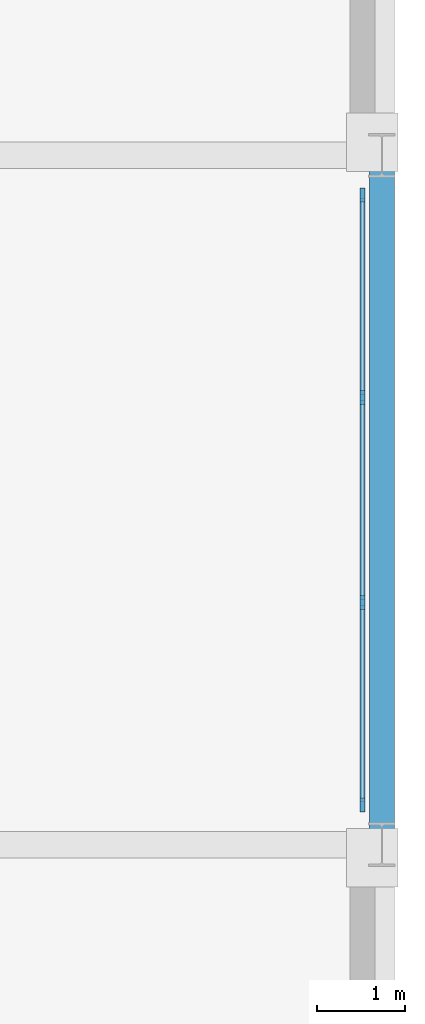
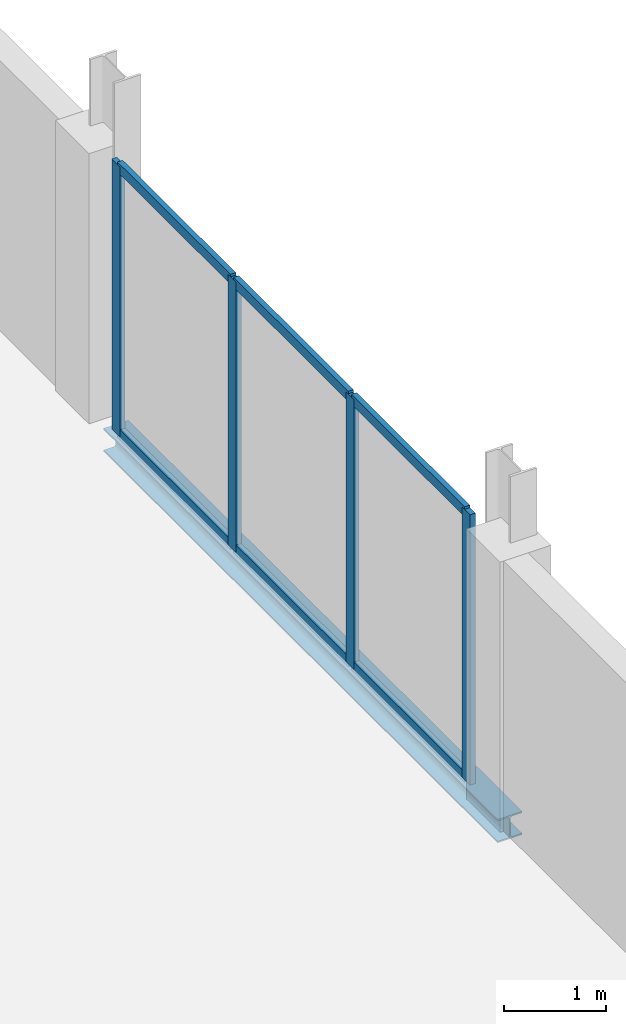
# One storey, part 14 of 41: 10 members, 1 beam, 1 element without a shape of its own.
"""IFC4 building model written with IfcOpenShell, lengths in metres."""

from ifc_helpers import new_model, si_unit, direction, frame, origin, origin_2d, place, context, subcontext, project, spatial, rectangle, i_section, extrude, material, material_profile, profile_set, type_object, element, aggregate, save


model = new_model("IFC4")

# Units and contexts
model_context = context("Model", 3, precision=1e-05, world=origin(), true_north=direction((0.0, 1.0)))
body_context = subcontext(model_context, "Body", "Model", "MODEL_VIEW")
ifc_project = project(units=[si_unit("LENGTHUNIT", "METRE"), si_unit("AREAUNIT", "SQUARE_METRE"), si_unit("VOLUMEUNIT", "CUBIC_METRE"), si_unit("PLANEANGLEUNIT", "RADIAN"), si_unit("MASSUNIT", "GRAM", prefix="KILO")], contexts=[model_context])

# Site, building, storey
site_placement = place(None, origin())
site = spatial("IfcSite", under=ifc_project, at=site_placement, CompositionType="ELEMENT")
building_placement = place(site_placement, origin())
building = spatial("IfcBuilding", under=site, at=building_placement, Name="Nabrawat Pavilion Hospital", CompositionType="ELEMENT")
storey_placement = place(building_placement, frame((0.0, 0.0, 18.89990234375)))
storey = spatial("IfcBuildingStorey", under=building, at=storey_placement, Name="L04", CompositionType="ELEMENT", Elevation=18.89990234375)

# Curtain wall, members
ifc_material_1 = material(Name="Anodised Aluminium", Category="aluminium")
curtain_wall_type = type_object("IfcCurtainWallType", Name="Inpatient Dayroom Bay Curtain Wall", PredefinedType="USERDEFINED", material=ifc_material_1)
curtain_wall_placement = place(storey_placement, origin())
curtain_wall = element("IfcCurtainWall", 1, at=curtain_wall_placement, inside=storey, type_object=curtain_wall_type, Name="L04 Inpatient Dayroom Bay Curtain Wall 150", ObjectType="CURTAIN WALL", PredefinedType="USERDEFINED")
ifc_material_profile_1 = material_profile(ifc_material_1, rectangle(XDim=0.06005859375, YDim=0.159912109375, at=origin_2d()), Name="CWM 60x160")
ifc_profile_set_1 = profile_set([ifc_material_profile_1], Name="Anodised Aluminium")
member_type_1 = type_object("IfcMemberType", Name="Inpatient Dayroom Bay Curtain Wall Mullion CWM 60x160", PredefinedType="MULLION", material=ifc_profile_set_1)
member_1_placement = place(storey_placement, frame((192.97998046875, 55.050048828125, 0.0), z_axis=(0.0, 0.0, 1.0), x_axis=(-1.0, 0.0, 0.0)))
member_1 = element("IfcMember", 2, at=member_1_placement, type_object=member_type_1, Name="CW-WRD-01 mullion 1", PredefinedType="MULLION", context=body_context, shape_type="SweptSolid", body=[
    extrude(rectangle(XDim=0.06005859375, YDim=0.159912109375, at=origin_2d()), origin(), (0.0, 0.0, 1.0), 3.25),
])
member_2_placement = place(storey_placement, frame((192.97998046875, 57.340087890625, 0.0), z_axis=(0.0, 0.0, 1.0), x_axis=(-1.0, 0.0, 0.0)))
member_2 = element("IfcMember", 3, at=member_2_placement, type_object=member_type_1, Name="CW-WRD-01 mullion 2", PredefinedType="MULLION", context=body_context, shape_type="SweptSolid", body=[
    extrude(rectangle(XDim=0.06005859375, YDim=0.159912109375, at=origin_2d()), origin(), (0.0, 0.0, 1.0), 3.25),
])
member_3_placement = place(storey_placement, frame((192.97998046875, 59.659912109375, 0.0), z_axis=(0.0, 0.0, 1.0), x_axis=(-1.0, 0.0, 0.0)))
member_3 = element("IfcMember", 4, at=member_3_placement, type_object=member_type_1, Name="CW-WRD-01 mullion 3", PredefinedType="MULLION", context=body_context, shape_type="SweptSolid", body=[
    extrude(rectangle(XDim=0.06005859375, YDim=0.159912109375, at=origin_2d()), origin(), (0.0, 0.0, 1.0), 3.25),
])
member_4_placement = place(storey_placement, frame((192.97998046875, 61.949951171875, 0.0), z_axis=(0.0, 0.0, 1.0), x_axis=(-1.0, 0.0, 0.0)))
member_4 = element("IfcMember", 5, at=member_4_placement, type_object=member_type_1, Name="CW-WRD-01 mullion 4", PredefinedType="MULLION", context=body_context, shape_type="SweptSolid", body=[
    extrude(rectangle(XDim=0.06005859375, YDim=0.159912109375, at=origin_2d()), origin(), (0.0, 0.0, 1.0), 3.25),
])
ifc_material_profile_2 = material_profile(ifc_material_1, rectangle(XDim=0.06005859375, YDim=0.1201171875, at=origin_2d()), Name="CWT 60x120")
ifc_profile_set_2 = profile_set([ifc_material_profile_2], Name="Anodised Aluminium")
member_type_2 = type_object("IfcMemberType", Name="Inpatient Dayroom Bay Curtain Wall Transom CWT 60x120", PredefinedType="USERDEFINED", material=ifc_profile_set_2)
member_5_placement = place(storey_placement, frame((192.97998046875, 55.080078125, 0.030029296875), z_axis=(0.0, 1.0, 0.0), x_axis=(-1.0, 0.0, 0.0)))
member_5 = element("IfcMember", 6, at=member_5_placement, type_object=member_type_2, Name="CW-WRD-01 transom 1.1", ObjectType="TRANSOM", PredefinedType="USERDEFINED", context=body_context, shape_type="SweptSolid", body=[
    extrude(rectangle(XDim=0.06005859375, YDim=0.1201171875, at=origin_2d()), origin(), (0.0, 0.0, 1.0), 2.22998046875),
])
member_6_placement = place(storey_placement, frame((192.97998046875, 55.080078125, 3.22021484375), z_axis=(0.0, 1.0, 0.0), x_axis=(-1.0, 0.0, 0.0)))
member_6 = element("IfcMember", 7, at=member_6_placement, type_object=member_type_2, Name="CW-WRD-01 transom 1.2", ObjectType="TRANSOM", PredefinedType="USERDEFINED", context=body_context, shape_type="SweptSolid", body=[
    extrude(rectangle(XDim=0.06005859375, YDim=0.1201171875, at=origin_2d()), origin(), (0.0, 0.0, 1.0), 2.22998046875),
])
member_7_placement = place(storey_placement, frame((192.97998046875, 57.3701171875, 0.030029296875), z_axis=(0.0, 1.0, 0.0), x_axis=(-1.0, 0.0, 0.0)))
member_7 = element("IfcMember", 8, at=member_7_placement, type_object=member_type_2, Name="CW-WRD-01 transom 2.1", ObjectType="TRANSOM", PredefinedType="USERDEFINED", context=body_context, shape_type="SweptSolid", body=[
    extrude(rectangle(XDim=0.06005859375, YDim=0.1201171875, at=origin_2d()), origin(), (0.0, 0.0, 1.0), 2.259765625),
])
member_8_placement = place(storey_placement, frame((192.97998046875, 57.3701171875, 3.22021484375), z_axis=(0.0, 1.0, 0.0), x_axis=(-1.0, 0.0, 0.0)))
member_8 = element("IfcMember", 9, at=member_8_placement, type_object=member_type_2, Name="CW-WRD-01 transom 2.2", ObjectType="TRANSOM", PredefinedType="USERDEFINED", context=body_context, shape_type="SweptSolid", body=[
    extrude(rectangle(XDim=0.06005859375, YDim=0.1201171875, at=origin_2d()), origin(), (0.0, 0.0, 1.0), 2.259765625),
])
member_9_placement = place(storey_placement, frame((192.97998046875, 59.68994140625, 0.030029296875), z_axis=(0.0, 1.0, 0.0), x_axis=(-1.0, 0.0, 0.0)))
member_9 = element("IfcMember", 10, at=member_9_placement, type_object=member_type_2, Name="CW-WRD-01 transom 3.1", ObjectType="TRANSOM", PredefinedType="USERDEFINED", context=body_context, shape_type="SweptSolid", body=[
    extrude(rectangle(XDim=0.06005859375, YDim=0.1201171875, at=origin_2d()), origin(), (0.0, 0.0, 1.0), 2.22998046875),
])
member_10_placement = place(storey_placement, frame((192.97998046875, 59.68994140625, 3.22021484375), z_axis=(0.0, 1.0, 0.0), x_axis=(-1.0, 0.0, 0.0)))
member_10 = element("IfcMember", 11, at=member_10_placement, type_object=member_type_2, Name="CW-WRD-01 transom 3.2", ObjectType="TRANSOM", PredefinedType="USERDEFINED", context=body_context, shape_type="SweptSolid", body=[
    extrude(rectangle(XDim=0.06005859375, YDim=0.1201171875, at=origin_2d()), origin(), (0.0, 0.0, 1.0), 2.22998046875),
])
aggregate(curtain_wall, [member_1, member_2, member_3, member_4, member_5, member_6, member_7, member_8, member_9, member_10])

# Beam
ifc_material_2 = material(Name="Steel S355", Category="steel")
ifc_material_profile_3 = material_profile(ifc_material_2, i_section(OverallWidth=0.280029296875, OverallDepth=0.280029296875, WebThickness=0.010498046875, FlangeThickness=0.01806640625, FilletRadius=0.02392578125, at=origin_2d()), Name="HEB 280")
ifc_profile_set_3 = profile_set([ifc_material_profile_3], Name="Steel S355")
beam_type = type_object("IfcBeamType", Name="Upper Terrace Edge Spandrel HEB 280", PredefinedType="SPANDREL", material=ifc_profile_set_3)
beam_placement = place(storey_placement, frame((193.199951171875, 54.6201171875, -0.3798828125), z_axis=(0.0, 1.0, 0.0), x_axis=(-1.0, 0.0, 0.0)))
element("IfcBeam", 12, at=beam_placement, inside=storey, type_object=beam_type, Name="L04 Primary Y Beam 1967", PredefinedType="SPANDREL", context=body_context, shape_type="SweptSolid", body=[
    extrude(i_section(OverallWidth=0.280029296875, OverallDepth=0.280029296875, WebThickness=0.010498046875, FlangeThickness=0.01806640625, FilletRadius=0.02392578125, at=origin_2d()), origin(), (0.0, 0.0, 1.0), 7.759765625),
])

save(model, "model.ifc")
